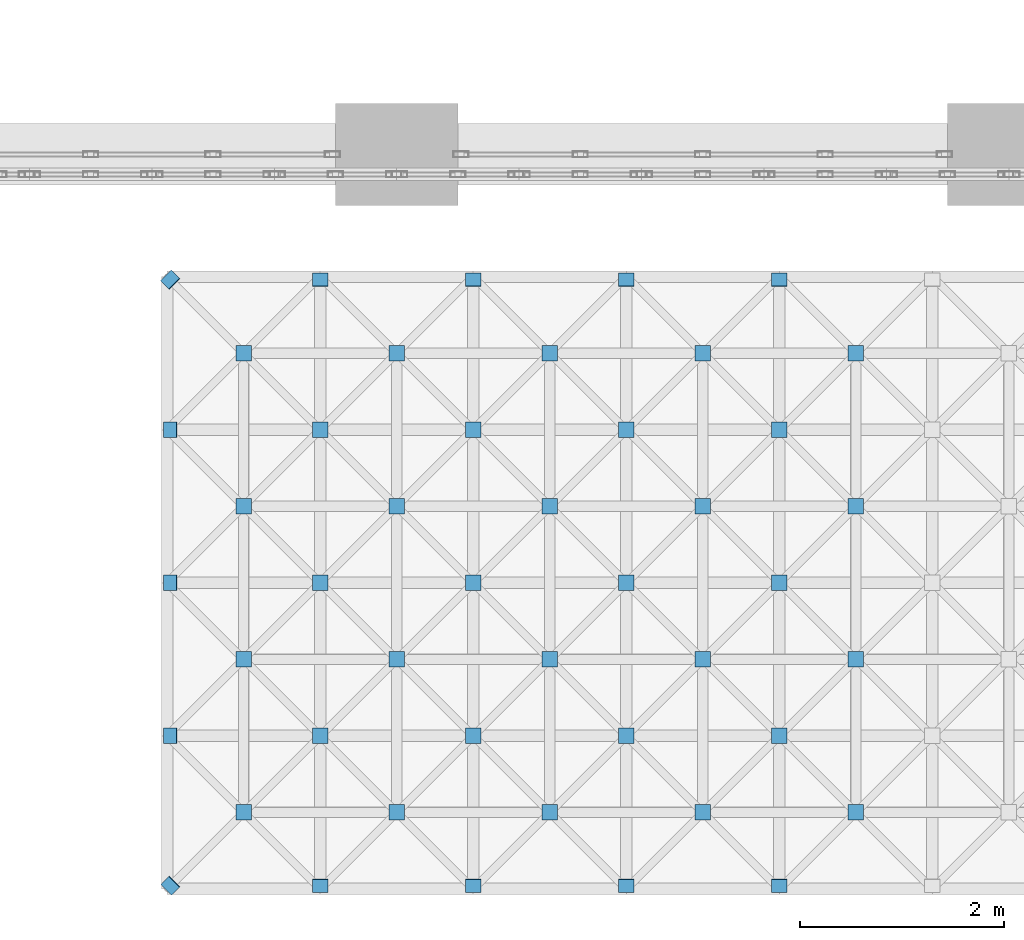
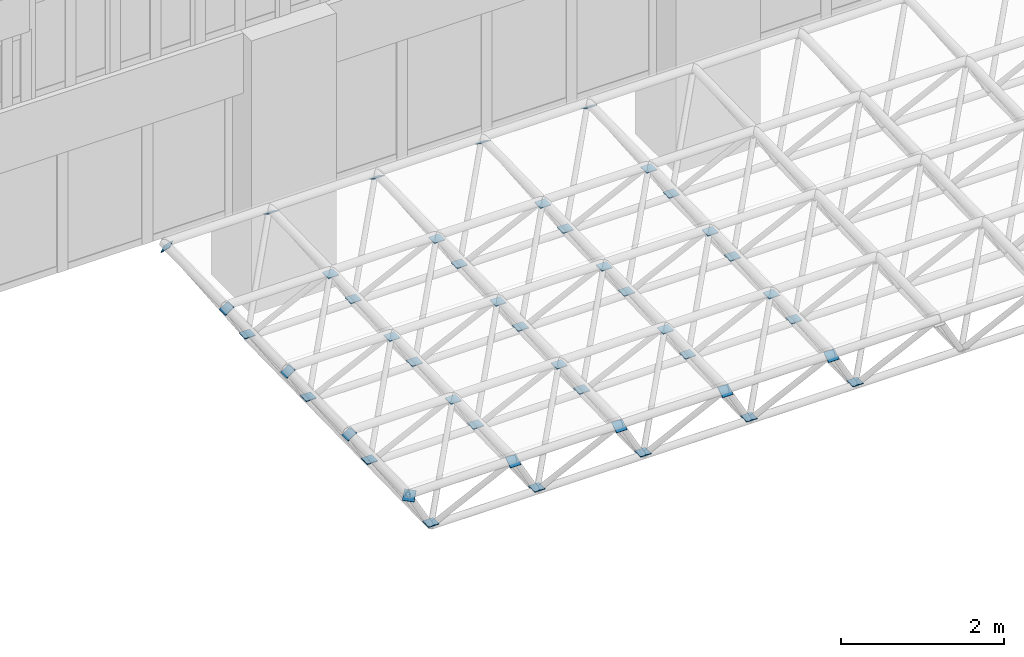
# One storey, part 77 of 103: 45 discrete accessories.
"""IFC4 building model written with IfcOpenShell, lengths in metres."""

from ifc_helpers import new_model, si_unit, direction, frame, origin, origin_2d, place, context, subcontext, project, spatial, rectangle, extrude, material, material_profile, profile_set, type_object, element, save


model = new_model("IFC4")

# Units and contexts
model_context = context("Model", 3, precision=1e-05, world=origin(), true_north=direction((0.0, 1.0)))
body_context = subcontext(model_context, "Body", "Model", "MODEL_VIEW")
ifc_project = project(units=[si_unit("LENGTHUNIT", "METRE"), si_unit("AREAUNIT", "SQUARE_METRE"), si_unit("VOLUMEUNIT", "CUBIC_METRE"), si_unit("PLANEANGLEUNIT", "RADIAN"), si_unit("MASSUNIT", "GRAM", prefix="KILO")], contexts=[model_context])

# Site, building, storey
site_placement = place(None, origin())
site = spatial("IfcSite", under=ifc_project, at=site_placement, CompositionType="ELEMENT")
building_placement = place(site_placement, origin())
building = spatial("IfcBuilding", under=site, at=building_placement, Name="Laocheng Heights Fire and Rescue Headquarters", CompositionType="ELEMENT")
storey_placement = place(building_placement, frame((0.0, 0.0, 4.199951171875)))
storey = spatial("IfcBuildingStorey", under=building, at=storey_placement, Name="L01", CompositionType="ELEMENT", Elevation=4.199951171875)

# Discrete accessories
ifc_material_1 = material(Name="Steel Q355B, dark grey painted", Category="steel")
ifc_material_profile_1 = material_profile(ifc_material_1, rectangle(XDim=0.14990234375, YDim=0.14990234375, at=origin_2d()), Name="GUSSET PLATE 150 x 150 x 12 FOR APRON CANOPY WEB CHS 76.1x4")
ifc_profile_set_1 = profile_set([ifc_material_profile_1], Name="Steel Q355B, dark grey painted")
discrete_accessory_type_1 = type_object("IfcDiscreteAccessoryType", Name="GUSSET PLATE 150 x 150 x 12 FOR APRON CANOPY WEB CHS 76.1x4", PredefinedType="BRACKET", material=ifc_profile_set_1)
for number, where, z_axis, x_axis, name in (
    (1, (21.783447265625, -1.2333984375, 2.021728515625), (-0.466866753268, 0.466866753268, 0.751046516127), (-0.707106781187, -0.707106781187, 0.0), "End plate at AC-W001 end 2"),
    (2, (21.783935546875, -7.166015625, 1.90234375), (-0.466866753268, -0.466866753268, 0.751046516127), (0.707106781187, -0.707106781187, 0.0), "End plate at AC-W279 end 2"),
):
    element("IfcDiscreteAccessory", number, at=place(storey_placement, frame(where, z_axis=z_axis, x_axis=x_axis)), inside=storey, type_object=discrete_accessory_type_1, Name=name, PredefinedType="BRACKET", context=body_context, shape_type="SweptSolid", body=[
        extrude(rectangle(XDim=0.14990234375, YDim=0.14990234375, at=origin_2d()), origin(), (0.0, 0.0, 1.0), 0.011962890625),
    ])
ifc_material_2 = material(Name="Steel Q355B, dark grey painted", Category="steel")
ifc_material_profile_2 = material_profile(ifc_material_2, rectangle(XDim=0.14990234375, YDim=0.14990234375, at=origin_2d()), Name="NODE PLATE 150 x 150 x 12 FOR APRON CANOPY WEB CHS 76.1x4")
ifc_profile_set_2 = profile_set([ifc_material_profile_2], Name="Steel Q355B, dark grey painted")
discrete_accessory_type_2 = type_object("IfcDiscreteAccessoryType", Name="NODE PLATE 150 x 150 x 12 FOR APRON CANOPY WEB CHS 76.1x4", PredefinedType="BRACKET", material=ifc_profile_set_2)
for number, where, z_axis, x_axis, name in (
    (3, (22.501220703125, -1.951416015625, 0.896728515625), (0.0, 0.0, 1.0), (1.0, 0.0, 0.0), "Node plate at AC-W001 end 1, AC-W002 end 1, AC-W003 end 1, AC-W004 end 1"),
    (4, (23.25, -1.2275390625, 2.031494140625), (0.0, -0.526354614616, -0.850265146688), (1.0, 0.0, 0.0), "Node plate at AC-W002 end 2, AC-W005 end 2"),
):
    element("IfcDiscreteAccessory", number, at=place(storey_placement, frame(where, z_axis=z_axis, x_axis=x_axis)), inside=storey, type_object=discrete_accessory_type_2, Name=name, PredefinedType="BRACKET", context=body_context, shape_type="SweptSolid", body=[
        extrude(rectangle(XDim=0.14990234375, YDim=0.14990234375, at=origin_2d()), origin(), (0.0, 0.0, 1.0), 0.011962890625),
    ])
discrete_accessory_1_placement = place(storey_placement, frame((21.777587890625, -2.69970703125, 2.001708984375), z_axis=(0.540757591313, 0.0, -0.841178475377), x_axis=(0.0, 1.0, 0.0)))
element("IfcDiscreteAccessory", 5, at=discrete_accessory_1_placement, inside=storey, type_object=discrete_accessory_type_2, Name="Node plate at AC-W003 end 2, AC-W093 end 2", PredefinedType="BRACKET", context=body_context, shape_type="SweptSolid", body=[
    extrude(rectangle(XDim=0.14990234375, YDim=0.14990234375, at=origin_2d()), origin(), (0.0, 0.0, 1.0), 0.01220703125),
])
discrete_accessory_2_placement = place(storey_placement, frame((23.25, -2.69970703125, 2.002685546875), z_axis=(0.0, 0.0, -1.0), x_axis=(1.0, 0.0, 0.0)))
element("IfcDiscreteAccessory", 6, at=discrete_accessory_2_placement, inside=storey, type_object=discrete_accessory_type_2, Name="Node plate at AC-W004 end 2, AC-W007 end 2, AC-W094 end 2, AC-W097 end 2", PredefinedType="BRACKET", context=body_context, shape_type="SweptSolid", body=[
    extrude(rectangle(XDim=0.14990234375, YDim=0.14990234375, at=origin_2d()), origin(), (0.0, 0.0, 1.0), 0.011962890625),
])
discrete_accessory_3_placement = place(storey_placement, frame((24.0, -1.9501953125, 0.8984375), z_axis=(0.0, 0.0, 1.0), x_axis=(1.0, 0.0, 0.0)))
element("IfcDiscreteAccessory", 7, at=discrete_accessory_3_placement, inside=storey, type_object=discrete_accessory_type_2, Name="Node plate at AC-W005 end 1, AC-W006 end 1, AC-W007 end 1, AC-W008 end 1", PredefinedType="BRACKET", context=body_context, shape_type="SweptSolid", body=[
    extrude(rectangle(XDim=0.14990234375, YDim=0.14990234375, at=origin_2d()), origin(), (0.0, 0.0, 1.0), 0.01220703125),
])
for number, where, z_axis, x_axis, name in (
    (8, (24.75, -1.2275390625, 2.031494140625), (0.0, -0.526354614616, -0.850265146688), (1.0, 0.0, 0.0), "Node plate at AC-W006 end 2, AC-W009 end 2"),
    (9, (24.75, -2.69970703125, 2.002685546875), (0.0, 0.0, -1.0), (1.0, 0.0, 0.0), "Node plate at AC-W008 end 2, AC-W011 end 2, AC-W098 end 2, AC-W101 end 2"),
):
    element("IfcDiscreteAccessory", number, at=place(storey_placement, frame(where, z_axis=z_axis, x_axis=x_axis)), inside=storey, type_object=discrete_accessory_type_2, Name=name, PredefinedType="BRACKET", context=body_context, shape_type="SweptSolid", body=[
        extrude(rectangle(XDim=0.14990234375, YDim=0.14990234375, at=origin_2d()), origin(), (0.0, 0.0, 1.0), 0.011962890625),
    ])
discrete_accessory_4_placement = place(storey_placement, frame((25.5, -1.9501953125, 0.8984375), z_axis=(0.0, 0.0, 1.0), x_axis=(1.0, 0.0, 0.0)))
element("IfcDiscreteAccessory", 10, at=discrete_accessory_4_placement, inside=storey, type_object=discrete_accessory_type_2, Name="Node plate at AC-W009 end 1, AC-W010 end 1, AC-W011 end 1, AC-W012 end 1", PredefinedType="BRACKET", context=body_context, shape_type="SweptSolid", body=[
    extrude(rectangle(XDim=0.14990234375, YDim=0.14990234375, at=origin_2d()), origin(), (0.0, 0.0, 1.0), 0.01220703125),
])
for number, where, z_axis, x_axis, name in (
    (11, (26.25, -1.2275390625, 2.031494140625), (0.0, -0.526354614616, -0.850265146688), (1.0, 0.0, 0.0), "Node plate at AC-W010 end 2, AC-W013 end 2"),
    (12, (26.25, -2.69970703125, 2.002685546875), (0.0, 0.0, -1.0), (1.0, 0.0, 0.0), "Node plate at AC-W012 end 2, AC-W015 end 2, AC-W102 end 2, AC-W105 end 2"),
):
    element("IfcDiscreteAccessory", number, at=place(storey_placement, frame(where, z_axis=z_axis, x_axis=x_axis)), inside=storey, type_object=discrete_accessory_type_2, Name=name, PredefinedType="BRACKET", context=body_context, shape_type="SweptSolid", body=[
        extrude(rectangle(XDim=0.14990234375, YDim=0.14990234375, at=origin_2d()), origin(), (0.0, 0.0, 1.0), 0.011962890625),
    ])
discrete_accessory_5_placement = place(storey_placement, frame((27.0, -1.9501953125, 0.8984375), z_axis=(0.0, 0.0, 1.0), x_axis=(1.0, 0.0, 0.0)))
element("IfcDiscreteAccessory", 13, at=discrete_accessory_5_placement, inside=storey, type_object=discrete_accessory_type_2, Name="Node plate at AC-W013 end 1, AC-W014 end 1, AC-W015 end 1, AC-W016 end 1", PredefinedType="BRACKET", context=body_context, shape_type="SweptSolid", body=[
    extrude(rectangle(XDim=0.14990234375, YDim=0.14990234375, at=origin_2d()), origin(), (0.0, 0.0, 1.0), 0.01220703125),
])
for number, where, z_axis, x_axis, name in (
    (14, (27.75, -1.2275390625, 2.031494140625), (0.0, -0.526354614616, -0.850265146688), (1.0, 0.0, 0.0), "Node plate at AC-W014 end 2, AC-W017 end 2"),
    (15, (27.75, -2.69970703125, 2.002685546875), (0.0, 0.0, -1.0), (1.0, 0.0, 0.0), "Node plate at AC-W016 end 2, AC-W019 end 2, AC-W106 end 2, AC-W109 end 2"),
):
    element("IfcDiscreteAccessory", number, at=place(storey_placement, frame(where, z_axis=z_axis, x_axis=x_axis)), inside=storey, type_object=discrete_accessory_type_2, Name=name, PredefinedType="BRACKET", context=body_context, shape_type="SweptSolid", body=[
        extrude(rectangle(XDim=0.14990234375, YDim=0.14990234375, at=origin_2d()), origin(), (0.0, 0.0, 1.0), 0.011962890625),
    ])
discrete_accessory_6_placement = place(storey_placement, frame((28.5, -1.9501953125, 0.8984375), z_axis=(0.0, 0.0, 1.0), x_axis=(1.0, 0.0, 0.0)))
element("IfcDiscreteAccessory", 16, at=discrete_accessory_6_placement, inside=storey, type_object=discrete_accessory_type_2, Name="Node plate at AC-W017 end 1, AC-W018 end 1, AC-W019 end 1, AC-W020 end 1", PredefinedType="BRACKET", context=body_context, shape_type="SweptSolid", body=[
    extrude(rectangle(XDim=0.14990234375, YDim=0.14990234375, at=origin_2d()), origin(), (0.0, 0.0, 1.0), 0.01220703125),
])
for number, where, z_axis, x_axis, name in (
    (17, (22.5, -3.4501953125, 0.86865234375), (0.0, 0.0, 1.0), (1.0, 0.0, 0.0), "Node plate at AC-W093 end 1, AC-W094 end 1, AC-W095 end 1, AC-W096 end 1"),
    (18, (21.777587890625, -4.19970703125, 1.9716796875), (0.549990569516, 0.0, -0.83517086482), (0.0, 1.0, 0.0), "Node plate at AC-W095 end 2, AC-W185 end 2"),
    (19, (23.25, -4.19970703125, 1.97265625), (0.0, 0.0, -1.0), (1.0, 0.0, 0.0), "Node plate at AC-W096 end 2, AC-W099 end 2, AC-W186 end 2, AC-W189 end 2"),
    (20, (24.0, -3.4501953125, 0.86865234375), (0.0, 0.0, 1.0), (1.0, 0.0, 0.0), "Node plate at AC-W097 end 1, AC-W098 end 1, AC-W099 end 1, AC-W100 end 1"),
    (21, (24.75, -4.19970703125, 1.97265625), (0.0, 0.0, -1.0), (1.0, 0.0, 0.0), "Node plate at AC-W100 end 2, AC-W103 end 2, AC-W190 end 2, AC-W193 end 2"),
    (22, (25.5, -3.4501953125, 0.86865234375), (0.0, 0.0, 1.0), (1.0, 0.0, 0.0), "Node plate at AC-W101 end 1, AC-W102 end 1, AC-W103 end 1, AC-W104 end 1"),
    (23, (26.25, -4.19970703125, 1.97265625), (0.0, 0.0, -1.0), (1.0, 0.0, 0.0), "Node plate at AC-W104 end 2, AC-W107 end 2, AC-W194 end 2, AC-W197 end 2"),
    (24, (27.0, -3.4501953125, 0.86865234375), (0.0, 0.0, 1.0), (1.0, 0.0, 0.0), "Node plate at AC-W105 end 1, AC-W106 end 1, AC-W107 end 1, AC-W108 end 1"),
    (25, (27.75, -4.19970703125, 1.97265625), (0.0, 0.0, -1.0), (1.0, 0.0, 0.0), "Node plate at AC-W108 end 2, AC-W111 end 2, AC-W198 end 2, AC-W201 end 2"),
    (26, (28.5, -3.4501953125, 0.86865234375), (0.0, 0.0, 1.0), (1.0, 0.0, 0.0), "Node plate at AC-W109 end 1, AC-W110 end 1, AC-W111 end 1, AC-W112 end 1"),
    (27, (22.5, -4.9501953125, 0.838623046875), (0.0, 0.0, 1.0), (1.0, 0.0, 0.0), "Node plate at AC-W185 end 1, AC-W186 end 1, AC-W187 end 1, AC-W188 end 1"),
    (28, (21.777587890625, -5.69970703125, 1.941650390625), (0.549990569516, 0.0, -0.83517086482), (0.0, 1.0, 0.0), "Node plate at AC-W187 end 2, AC-W277 end 2"),
    (29, (23.25, -5.69970703125, 1.942626953125), (0.0, 0.0, -1.0), (1.0, 0.0, 0.0), "Node plate at AC-W188 end 2, AC-W191 end 2, AC-W278 end 2, AC-W281 end 2"),
    (30, (24.0, -4.9501953125, 0.838623046875), (0.0, 0.0, 1.0), (1.0, 0.0, 0.0), "Node plate at AC-W189 end 1, AC-W190 end 1, AC-W191 end 1, AC-W192 end 1"),
    (31, (24.75, -5.69970703125, 1.942626953125), (0.0, 0.0, -1.0), (1.0, 0.0, 0.0), "Node plate at AC-W192 end 2, AC-W195 end 2, AC-W282 end 2, AC-W285 end 2"),
    (32, (25.5, -4.9501953125, 0.838623046875), (0.0, 0.0, 1.0), (1.0, 0.0, 0.0), "Node plate at AC-W193 end 1, AC-W194 end 1, AC-W195 end 1, AC-W196 end 1"),
    (33, (26.25, -5.69970703125, 1.942626953125), (0.0, 0.0, -1.0), (1.0, 0.0, 0.0), "Node plate at AC-W196 end 2, AC-W199 end 2, AC-W286 end 2, AC-W289 end 2"),
    (34, (27.0, -4.9501953125, 0.838623046875), (0.0, 0.0, 1.0), (1.0, 0.0, 0.0), "Node plate at AC-W197 end 1, AC-W198 end 1, AC-W199 end 1, AC-W200 end 1"),
    (35, (27.75, -5.69970703125, 1.942626953125), (0.0, 0.0, -1.0), (1.0, 0.0, 0.0), "Node plate at AC-W200 end 2, AC-W203 end 2, AC-W290 end 2, AC-W293 end 2"),
    (36, (28.5, -4.9501953125, 0.838623046875), (0.0, 0.0, 1.0), (1.0, 0.0, 0.0), "Node plate at AC-W201 end 1, AC-W202 end 1, AC-W203 end 1, AC-W204 end 1"),
):
    element("IfcDiscreteAccessory", number, at=place(storey_placement, frame(where, z_axis=z_axis, x_axis=x_axis)), inside=storey, type_object=discrete_accessory_type_2, Name=name, PredefinedType="BRACKET", context=body_context, shape_type="SweptSolid", body=[
        extrude(rectangle(XDim=0.14990234375, YDim=0.14990234375, at=origin_2d()), origin(), (0.0, 0.0, 1.0), 0.011962890625),
    ])
discrete_accessory_7_placement = place(storey_placement, frame((22.50146484375, -6.44873046875, 0.80615234375), z_axis=(0.0, 0.0, 1.0), x_axis=(1.0, 0.0, 0.0)))
element("IfcDiscreteAccessory", 37, at=discrete_accessory_7_placement, inside=storey, type_object=discrete_accessory_type_2, Name="Node plate at AC-W277 end 1, AC-W278 end 1, AC-W279 end 1, AC-W280 end 1", PredefinedType="BRACKET", context=body_context, shape_type="SweptSolid", body=[
    extrude(rectangle(XDim=0.14990234375, YDim=0.14990234375, at=origin_2d()), origin(), (0.0, 0.0, 1.0), 0.01220703125),
])
for number, where, z_axis, x_axis, name in (
    (38, (23.25, -7.172119140625, 1.911865234375), (0.0, 0.535542025358, -0.84450857845), (-1.0, 0.0, 0.0), "Node plate at AC-W280 end 2, AC-W283 end 2"),
    (39, (24.0, -6.4501953125, 0.80859375), (0.0, 0.0, 1.0), (1.0, 0.0, 0.0), "Node plate at AC-W281 end 1, AC-W282 end 1, AC-W283 end 1, AC-W284 end 1"),
    (40, (24.75, -7.172119140625, 1.911865234375), (0.0, 0.535542025358, -0.84450857845), (-1.0, 0.0, 0.0), "Node plate at AC-W284 end 2, AC-W287 end 2"),
    (41, (25.5, -6.4501953125, 0.80859375), (0.0, 0.0, 1.0), (1.0, 0.0, 0.0), "Node plate at AC-W285 end 1, AC-W286 end 1, AC-W287 end 1, AC-W288 end 1"),
    (42, (26.25, -7.172119140625, 1.911865234375), (0.0, 0.535542025358, -0.84450857845), (-1.0, 0.0, 0.0), "Node plate at AC-W288 end 2, AC-W291 end 2"),
    (43, (27.0, -6.4501953125, 0.80859375), (0.0, 0.0, 1.0), (1.0, 0.0, 0.0), "Node plate at AC-W289 end 1, AC-W290 end 1, AC-W291 end 1, AC-W292 end 1"),
    (44, (27.75, -7.172119140625, 1.911865234375), (0.0, 0.535542025358, -0.84450857845), (-1.0, 0.0, 0.0), "Node plate at AC-W292 end 2, AC-W295 end 2"),
    (45, (28.5, -6.4501953125, 0.80859375), (0.0, 0.0, 1.0), (1.0, 0.0, 0.0), "Node plate at AC-W293 end 1, AC-W294 end 1, AC-W295 end 1, AC-W296 end 1"),
):
    element("IfcDiscreteAccessory", number, at=place(storey_placement, frame(where, z_axis=z_axis, x_axis=x_axis)), inside=storey, type_object=discrete_accessory_type_2, Name=name, PredefinedType="BRACKET", context=body_context, shape_type="SweptSolid", body=[
        extrude(rectangle(XDim=0.14990234375, YDim=0.14990234375, at=origin_2d()), origin(), (0.0, 0.0, 1.0), 0.011962890625),
    ])

save(model, "model.ifc")
